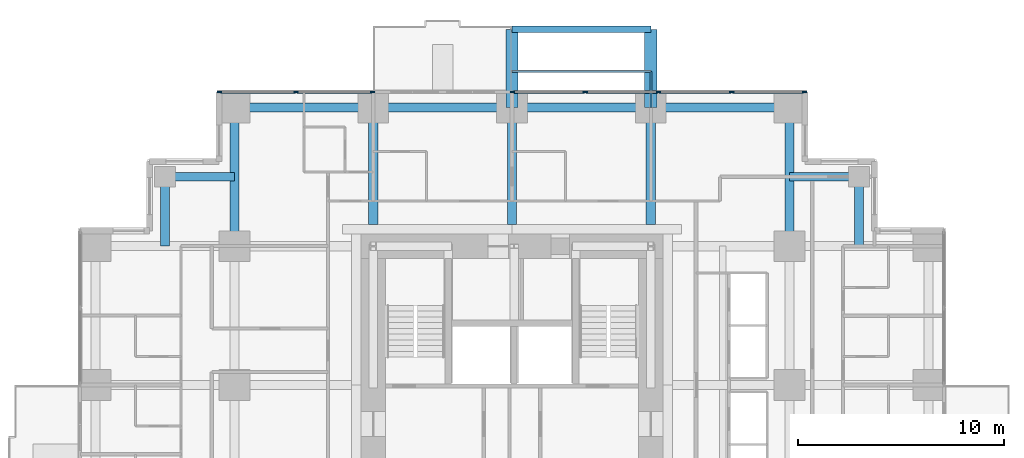
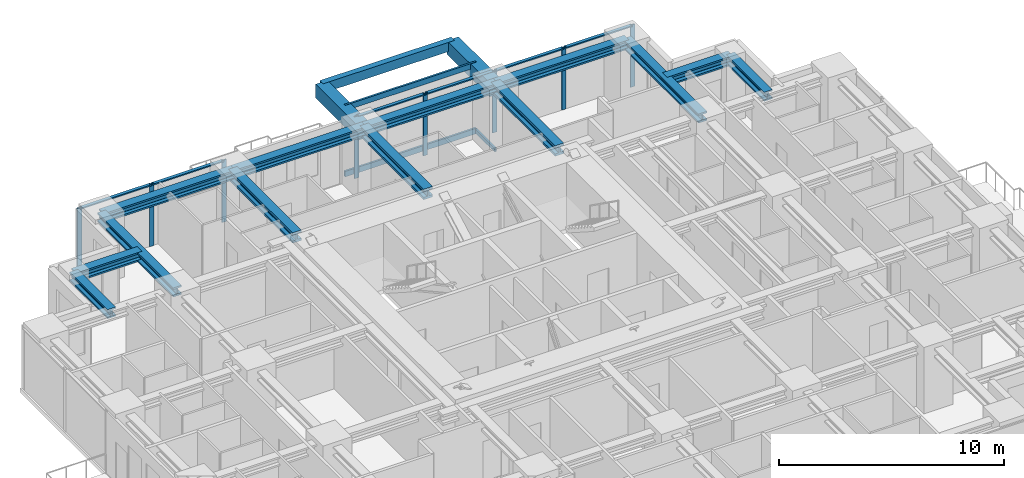
# One storey, part 5 of 13: 17 members, 16 beams, 2 elements without a shape of their own.
"""IFC4 building model written with IfcOpenShell, lengths in metres."""

from ifc_helpers import new_model, si_unit, direction, frame, origin, origin_2d, place, context, subcontext, project, spatial, rectangle, hollow_rectangle, i_section, extrude, material, material_profile, profile_set, type_object, element, aggregate, save


model = new_model("IFC4")

# Units and contexts
model_context = context("Model", 3, precision=1e-05, world=origin(), true_north=direction((0.0, 1.0)))
body_context = subcontext(model_context, "Body", "Model", "MODEL_VIEW")
ifc_project = project(units=[si_unit("LENGTHUNIT", "METRE"), si_unit("AREAUNIT", "SQUARE_METRE"), si_unit("VOLUMEUNIT", "CUBIC_METRE"), si_unit("PLANEANGLEUNIT", "RADIAN"), si_unit("MASSUNIT", "GRAM", prefix="KILO")], contexts=[model_context])

# Site, building, storey
site_placement = place(None, origin())
site = spatial("IfcSite", under=ifc_project, at=site_placement, CompositionType="ELEMENT")
building_placement = place(site_placement, origin())
building = spatial("IfcBuilding", under=site, at=building_placement, Name="Nyansa Garden Tower", CompositionType="ELEMENT")
storey_placement = place(building_placement, frame((0.0, 0.0, 130.5)))
storey = spatial("IfcBuildingStorey", under=building, at=storey_placement, Name="L35", CompositionType="ELEMENT", Elevation=130.5)

# Beams
ifc_material_1 = material(Name="Concrete C70/85", Category="concrete")
ifc_material_profile_1 = material_profile(ifc_material_1, rectangle(XDim=0.60009765625, YDim=0.75, at=origin_2d()), Name="RC 600x750")
ifc_profile_set_1 = profile_set([ifc_material_profile_1], Name="Concrete C70/85")
beam_type_1 = type_object("IfcBeamType", Name="Balcony cantilever beam CB1 RC 600x750", PredefinedType="BEAM", material=ifc_profile_set_1)
for number, where, z_axis, x_axis, name in (
    (1, (20.25, 33.75, 2.985107421875), (0.0, 1.0, 0.0), (-1.0, 0.0, 0.0), "Balcony cantilever beam L36"),
    (2, (27.0, 33.75, 2.985107421875), (0.0, 1.0, 0.0), (-1.0, 0.0, 0.0), "Balcony cantilever beam L36"),
):
    element("IfcBeam", number, at=place(storey_placement, frame(where, z_axis=z_axis, x_axis=x_axis)), inside=storey, type_object=beam_type_1, Name=name, PredefinedType="BEAM", context=body_context, shape_type="SweptSolid", body=[
        extrude(rectangle(XDim=0.60009765625, YDim=0.75, at=origin_2d()), origin(), (0.0, 0.0, 1.0), 3.800048828125),
    ])
ifc_material_2 = material(Name="Concrete C70/85", Category="concrete")
ifc_material_profile_2 = material_profile(ifc_material_2, rectangle(XDim=0.300048828125, YDim=0.5, at=origin_2d()), Name="RC 300x500")
ifc_profile_set_2 = profile_set([ifc_material_profile_2], Name="Concrete C70/85")
beam_type_2 = type_object("IfcBeamType", Name="Balcony edge beam BE1 RC 300x500", PredefinedType="BEAM", material=ifc_profile_set_2)
beam_placement = place(storey_placement, frame((20.25, 37.550048828125, 3.110107421875), z_axis=(1.0, 0.0, 0.0), x_axis=(0.0, 1.0, 0.0)))
element("IfcBeam", 3, at=beam_placement, inside=storey, type_object=beam_type_2, Name="Balcony edge beam L36", PredefinedType="BEAM", context=body_context, shape_type="SweptSolid", body=[
    extrude(rectangle(XDim=0.300048828125, YDim=0.5, at=origin_2d()), origin(), (0.0, 0.0, 1.0), 6.75),
])

# Curtain wall, members
ifc_material_3 = material(Name="Black anodised aluminium, dark tinted double glazing", Category="aluminium")
curtain_wall_type = type_object("IfcCurtainWallType", Name="Inner skin curtain wall ISW-B", PredefinedType="USERDEFINED", material=ifc_material_3)
curtain_wall_1_placement = place(storey_placement, origin())
curtain_wall_1 = element("IfcCurtainWall", 4, at=curtain_wall_1_placement, inside=storey, type_object=curtain_wall_type, Name="Inner skin curtain wall L35 N", ObjectType="UNITISED CURTAIN WALL", PredefinedType="USERDEFINED")
ifc_material_4 = material(Name="Black anodised aluminium", Category="aluminium")
ifc_material_profile_3 = material_profile(ifc_material_4, rectangle(XDim=0.06494140625, YDim=0.22509765625, at=origin_2d()), Name="Mullion 225x65")
ifc_profile_set_3 = profile_set([ifc_material_profile_3], Name="Black anodised aluminium")
member_type_1 = type_object("IfcMemberType", Name="Mullion ISW-B 225x65", PredefinedType="MULLION", material=ifc_profile_set_3)
member_1_placement = place(storey_placement, frame((13.467529296875, 34.5, 0.0), z_axis=(0.0, 0.0, 1.0), x_axis=(0.0, -1.0, 0.0)))
member_1 = element("IfcMember", 5, at=member_1_placement, type_object=member_type_1, Name="ISW-B mullion 1", PredefinedType="MULLION", context=body_context, shape_type="SweptSolid", body=[
    extrude(rectangle(XDim=0.06494140625, YDim=0.22509765625, at=origin_2d()), origin(), (0.0, 0.0, 1.0), 3.375),
])
member_2_placement = place(storey_placement, frame((9.75, 34.5, 0.0), z_axis=(0.0, 0.0, 1.0), x_axis=(0.0, -1.0, 0.0)))
member_2 = element("IfcMember", 6, at=member_2_placement, type_object=member_type_1, Name="ISW-B mullion 2", PredefinedType="MULLION", context=body_context, shape_type="SweptSolid", body=[
    extrude(rectangle(XDim=0.06494140625, YDim=0.22509765625, at=origin_2d()), origin(), (0.0, 0.0, 1.0), 3.375),
])
member_3_placement = place(storey_placement, frame((6.032470703125, 34.5, 0.0), z_axis=(0.0, 0.0, 1.0), x_axis=(0.0, -1.0, 0.0)))
member_3 = element("IfcMember", 7, at=member_3_placement, type_object=member_type_1, Name="ISW-B mullion 3", PredefinedType="MULLION", context=body_context, shape_type="SweptSolid", body=[
    extrude(rectangle(XDim=0.06494140625, YDim=0.22509765625, at=origin_2d()), origin(), (0.0, 0.0, 1.0), 3.375),
])

curtain_wall_2_placement = place(storey_placement, origin())
curtain_wall_2 = element("IfcCurtainWall", 8, at=curtain_wall_2_placement, inside=storey, type_object=curtain_wall_type, Name="Inner skin curtain wall L35 N", ObjectType="UNITISED CURTAIN WALL", PredefinedType="USERDEFINED")
member_4_placement = place(storey_placement, frame((34.467529296875, 34.5, 0.0), z_axis=(0.0, 0.0, 1.0), x_axis=(0.0, -1.0, 0.0)))
member_4 = element("IfcMember", 9, at=member_4_placement, type_object=member_type_1, Name="ISW-B mullion 1", PredefinedType="MULLION", context=body_context, shape_type="SweptSolid", body=[
    extrude(rectangle(XDim=0.06494140625, YDim=0.22509765625, at=origin_2d()), origin(), (0.0, 0.0, 1.0), 3.375),
])
member_5_placement = place(storey_placement, frame((30.9375, 34.5, 0.0), z_axis=(0.0, 0.0, 1.0), x_axis=(0.0, -1.0, 0.0)))
member_5 = element("IfcMember", 10, at=member_5_placement, type_object=member_type_1, Name="ISW-B mullion 2", PredefinedType="MULLION", context=body_context, shape_type="SweptSolid", body=[
    extrude(rectangle(XDim=0.06494140625, YDim=0.22509765625, at=origin_2d()), origin(), (0.0, 0.0, 1.0), 3.375),
])
member_6_placement = place(storey_placement, frame((27.375, 34.5, 0.0), z_axis=(0.0, 0.0, 1.0), x_axis=(0.0, -1.0, 0.0)))
member_6 = element("IfcMember", 11, at=member_6_placement, type_object=member_type_1, Name="ISW-B mullion 3", PredefinedType="MULLION", context=body_context, shape_type="SweptSolid", body=[
    extrude(rectangle(XDim=0.06494140625, YDim=0.22509765625, at=origin_2d()), origin(), (0.0, 0.0, 1.0), 3.375),
])
member_7_placement = place(storey_placement, frame((23.8125, 34.5, 0.0), z_axis=(0.0, 0.0, 1.0), x_axis=(0.0, -1.0, 0.0)))
member_7 = element("IfcMember", 12, at=member_7_placement, type_object=member_type_1, Name="ISW-B mullion 4", PredefinedType="MULLION", context=body_context, shape_type="SweptSolid", body=[
    extrude(rectangle(XDim=0.06494140625, YDim=0.22509765625, at=origin_2d()), origin(), (0.0, 0.0, 1.0), 3.375),
])
member_8_placement = place(storey_placement, frame((20.282470703125, 34.5, 0.0), z_axis=(0.0, 0.0, 1.0), x_axis=(0.0, -1.0, 0.0)))
member_8 = element("IfcMember", 13, at=member_8_placement, type_object=member_type_1, Name="ISW-B mullion 5", PredefinedType="MULLION", context=body_context, shape_type="SweptSolid", body=[
    extrude(rectangle(XDim=0.06494140625, YDim=0.22509765625, at=origin_2d()), origin(), (0.0, 0.0, 1.0), 3.375),
])

# Members
ifc_material_5 = material(Name="Steel S355, black powder coated", Category="steel")
ifc_material_profile_4 = material_profile(ifc_material_5, hollow_rectangle(XDim=0.10009765625, YDim=0.199951171875, WallThickness=0.008056640625, at=origin_2d()), Name="RHS 200x100x8")
ifc_profile_set_4 = profile_set([ifc_material_profile_4], Name="Steel S355, black powder coated")
member_type_2 = type_object("IfcMemberType", Name="Outer skin bracket arm RHS 200x100x8", PredefinedType="USERDEFINED", material=ifc_profile_set_4)
member_9_placement = place(storey_placement, frame((27.0, 33.75, -0.375), z_axis=(0.0, 1.0, 0.0), x_axis=(-1.0, 0.0, 0.0)))
element("IfcMember", 14, at=member_9_placement, inside=storey, type_object=member_type_2, Name="Outer skin bracket arm", ObjectType="OUTER SKIN BRACKET", PredefinedType="USERDEFINED", context=body_context, shape_type="SweptSolid", body=[
    extrude(hollow_rectangle(XDim=0.10009765625, YDim=0.199951171875, WallThickness=0.008056640625, at=origin_2d()), origin(), (0.0, 0.0, 1.0), 1.75),
])
ifc_material_6 = material(Name="Steel S355, black powder coated", Category="steel")
ifc_material_profile_5 = material_profile(ifc_material_6, hollow_rectangle(XDim=0.10009765625, YDim=0.300048828125, WallThickness=0.010009765625, at=origin_2d()), Name="RHS 300x100x10")
ifc_profile_set_5 = profile_set([ifc_material_profile_5], Name="Steel S355, black powder coated")
member_type_3 = type_object("IfcMemberType", Name="Outer skin rail RHS 300x100x10", PredefinedType="USERDEFINED", material=ifc_profile_set_5)
for number, where, z_axis, x_axis, name in (
    (15, (20.25, 35.5, -0.375), (1.0, 0.0, 0.0), (0.0, 1.0, 0.0), "Outer skin rail L35"),
    (16, (20.25, 35.5, 3.22509765625), (1.0, 0.0, 0.0), (0.0, 1.0, 0.0), "Outer skin rail L35 head"),
):
    element("IfcMember", number, at=place(storey_placement, frame(where, z_axis=z_axis, x_axis=x_axis)), inside=storey, type_object=member_type_3, Name=name, ObjectType="OUTER SKIN RAIL", PredefinedType="USERDEFINED", context=body_context, shape_type="SweptSolid", body=[
        extrude(hollow_rectangle(XDim=0.10009765625, YDim=0.300048828125, WallThickness=0.010009765625, at=origin_2d()), origin(), (0.0, 0.0, 1.0), 6.75),
    ])

# Beams
ifc_material_7 = material(Name="Steel S355", Category="steel")
ifc_material_profile_6 = material_profile(ifc_material_7, i_section(OverallWidth=0.431884765625, OverallDepth=0.498046875, WebThickness=0.0556640625, FlangeThickness=0.0888671875, FilletRadius=0.014892578125, at=origin_2d()), Name="HD 400x744")
ifc_profile_set_6 = profile_set([ifc_material_profile_6], Name="Steel S355")
beam_type_3 = type_object("IfcBeamType", Name="Steel beam SBB2-744 HD 400x744", PredefinedType="BEAM", material=ifc_profile_set_6)
for number, where, z_axis, x_axis, name in (
    (17, (6.75, 27.0, 3.1259765625), (0.0, 1.0, 0.0), (-1.0, 0.0, 0.0), "Steel beam 3/H-3/J L36"),
    (18, (33.75, 27.0, 3.1259765625), (0.0, 1.0, 0.0), (-1.0, 0.0, 0.0), "Steel beam 7/H-7/J L36"),
):
    element("IfcBeam", number, at=place(storey_placement, frame(where, z_axis=z_axis, x_axis=x_axis)), inside=storey, type_object=beam_type_3, Name=name, PredefinedType="BEAM", context=body_context, shape_type="SweptSolid", body=[
        extrude(i_section(OverallWidth=0.431884765625, OverallDepth=0.498046875, WebThickness=0.0556640625, FlangeThickness=0.0888671875, FilletRadius=0.014892578125, at=origin_2d()), origin(), (0.0, 0.0, 1.0), 6.75),
    ])
ifc_material_8 = material(Name="Steel S355", Category="steel")
ifc_material_profile_7 = material_profile(ifc_material_8, i_section(OverallWidth=0.4541015625, OverallDepth=0.569091796875, WebThickness=0.077880859375, FlangeThickness=0.125, FilletRadius=0.014892578125, at=origin_2d()), Name="HD 400x1086")
ifc_profile_set_7 = profile_set([ifc_material_profile_7], Name="Steel S355")
beam_type_4 = type_object("IfcBeamType", Name="Steel beam SCL-1086 HD 400x1086", PredefinedType="BEAM", material=ifc_profile_set_7)
for number, where, z_axis, x_axis, name in (
    (19, (13.5, 28.050048828125, 3.090576171875), (0.0, 1.0, 0.0), (-1.0, 0.0, 0.0), "Steel beam 4/28.050-4/J L36"),
    (20, (20.25, 28.050048828125, 3.090576171875), (0.0, 1.0, 0.0), (-1.0, 0.0, 0.0), "Steel beam 5/28.050-5/J L36"),
    (21, (27.0, 28.050048828125, 3.090576171875), (0.0, 1.0, 0.0), (-1.0, 0.0, 0.0), "Steel beam 6/28.050-6/J L36"),
):
    element("IfcBeam", number, at=place(storey_placement, frame(where, z_axis=z_axis, x_axis=x_axis)), inside=storey, type_object=beam_type_4, Name=name, PredefinedType="BEAM", context=body_context, shape_type="SweptSolid", body=[
        extrude(i_section(OverallWidth=0.4541015625, OverallDepth=0.569091796875, WebThickness=0.077880859375, FlangeThickness=0.125, FilletRadius=0.014892578125, at=origin_2d()), origin(), (0.0, 0.0, 1.0), 5.699951171875),
    ])
ifc_material_9 = material(Name="Steel S355", Category="steel")
ifc_material_profile_8 = material_profile(ifc_material_9, i_section(OverallWidth=0.431884765625, OverallDepth=0.498046875, WebThickness=0.0556640625, FlangeThickness=0.0888671875, FilletRadius=0.014892578125, at=origin_2d()), Name="HD 400x744")
ifc_profile_set_8 = profile_set([ifc_material_profile_8], Name="Steel S355")
beam_type_5 = type_object("IfcBeamType", Name="Steel beam SEBB-744 HD 400x744", PredefinedType="BEAM", material=ifc_profile_set_8)
for number, where, z_axis, x_axis, name in (
    (22, (6.75, 33.75, 3.1259765625), (1.0, 0.0, 0.0), (0.0, 1.0, 0.0), "Steel edge beam 3/J-4/J L36"),
    (23, (13.5, 33.75, 3.1259765625), (1.0, 0.0, 0.0), (0.0, 1.0, 0.0), "Steel edge beam 4/J-5/J L36"),
    (24, (20.25, 33.75, 3.1259765625), (1.0, 0.0, 0.0), (0.0, 1.0, 0.0), "Steel edge beam 5/J-6/J L36"),
    (25, (27.0, 33.75, 3.1259765625), (1.0, 0.0, 0.0), (0.0, 1.0, 0.0), "Steel edge beam 6/J-7/J L36"),
):
    element("IfcBeam", number, at=place(storey_placement, frame(where, z_axis=z_axis, x_axis=x_axis)), inside=storey, type_object=beam_type_5, Name=name, PredefinedType="BEAM", context=body_context, shape_type="SweptSolid", body=[
        extrude(i_section(OverallWidth=0.431884765625, OverallDepth=0.498046875, WebThickness=0.0556640625, FlangeThickness=0.0888671875, FilletRadius=0.014892578125, at=origin_2d()), origin(), (0.0, 0.0, 1.0), 6.75),
    ])
ifc_material_10 = material(Name="Steel S355", Category="steel")
ifc_material_profile_9 = material_profile(ifc_material_10, i_section(OverallWidth=0.431884765625, OverallDepth=0.498046875, WebThickness=0.0556640625, FlangeThickness=0.0888671875, FilletRadius=0.014892578125, at=origin_2d()), Name="HD 400x744")
ifc_profile_set_9 = profile_set([ifc_material_profile_9], Name="Steel S355")
beam_type_6 = type_object("IfcBeamType", Name="Steel beam SSB1-744 HD 400x744", PredefinedType="BEAM", material=ifc_profile_set_9)
for number, where, z_axis, x_axis, name in (
    (26, (37.125, 30.375, 3.1259765625), (0.0, -1.0, 0.0), (1.0, 0.0, 0.0), "Steel step beam 37.125/30.375 L36"),
    (27, (37.125, 30.375, 3.1259765625), (-1.0, 0.0, 0.0), (0.0, -1.0, 0.0), "Steel step beam 37.125/30.375 L36"),
    (28, (3.375, 30.375, 3.1259765625), (0.0, -1.0, 0.0), (1.0, 0.0, 0.0), "Steel step beam 3.375/30.375 L36"),
    (29, (3.375, 30.375, 3.1259765625), (1.0, 0.0, 0.0), (0.0, 1.0, 0.0), "Steel step beam 3.375/30.375 L36"),
):
    element("IfcBeam", number, at=place(storey_placement, frame(where, z_axis=z_axis, x_axis=x_axis)), inside=storey, type_object=beam_type_6, Name=name, PredefinedType="BEAM", context=body_context, shape_type="SweptSolid", body=[
        extrude(i_section(OverallWidth=0.431884765625, OverallDepth=0.498046875, WebThickness=0.0556640625, FlangeThickness=0.0888671875, FilletRadius=0.014892578125, at=origin_2d()), origin(), (0.0, 0.0, 1.0), 3.375),
    ])

# Member
ifc_material_11 = material(Name="Black anodised aluminium", Category="aluminium")
ifc_material_profile_10 = material_profile(ifc_material_11, rectangle(XDim=0.1650390625, YDim=0.06494140625, at=origin_2d()), Name="Transom 165x65")
ifc_profile_set_10 = profile_set([ifc_material_profile_10], Name="Black anodised aluminium")
member_type_4 = type_object("IfcMemberType", Name="Transom ISW-B 165x65", PredefinedType="USERDEFINED", material=ifc_profile_set_10)
member_10_placement = place(storey_placement, frame((13.43505859375, 34.5, 3.342529296875), z_axis=(-1.0, 0.0, 0.0), x_axis=(0.0, -1.0, 0.0)))
member_10 = element("IfcMember", 30, at=member_10_placement, type_object=member_type_4, Name="ISW-B transom 1", ObjectType="TRANSOM", PredefinedType="USERDEFINED", context=body_context, shape_type="SweptSolid", body=[
    extrude(rectangle(XDim=0.1650390625, YDim=0.06494140625, at=origin_2d()), origin(), (0.0, 0.0, 1.0), 3.652587890625),
])

member_11_placement = place(storey_placement, frame((9.717529296875, 34.5, 3.342529296875), z_axis=(-1.0, 0.0, 0.0), x_axis=(0.0, -1.0, 0.0)))
member_11 = element("IfcMember", 31, at=member_11_placement, type_object=member_type_4, Name="ISW-B transom 2", ObjectType="TRANSOM", PredefinedType="USERDEFINED", context=body_context, shape_type="SweptSolid", body=[
    extrude(rectangle(XDim=0.1650390625, YDim=0.06494140625, at=origin_2d()), origin(), (0.0, 0.0, 1.0), 3.652587890625),
])

aggregate(curtain_wall_1, [member_1, member_2, member_3, member_10, member_11])

member_12_placement = place(storey_placement, frame((34.43505859375, 34.5, 3.342529296875), z_axis=(-1.0, 0.0, 0.0), x_axis=(0.0, -1.0, 0.0)))
member_12 = element("IfcMember", 32, at=member_12_placement, type_object=member_type_4, Name="ISW-B transom 1", ObjectType="TRANSOM", PredefinedType="USERDEFINED", context=body_context, shape_type="SweptSolid", body=[
    extrude(rectangle(XDim=0.1650390625, YDim=0.06494140625, at=origin_2d()), origin(), (0.0, 0.0, 1.0), 3.465087890625),
])

member_13_placement = place(storey_placement, frame((30.905029296875, 34.5, 3.342529296875), z_axis=(-1.0, 0.0, 0.0), x_axis=(0.0, -1.0, 0.0)))
member_13 = element("IfcMember", 33, at=member_13_placement, type_object=member_type_4, Name="ISW-B transom 2", ObjectType="TRANSOM", PredefinedType="USERDEFINED", context=body_context, shape_type="SweptSolid", body=[
    extrude(rectangle(XDim=0.1650390625, YDim=0.06494140625, at=origin_2d()), origin(), (0.0, 0.0, 1.0), 3.49755859375),
])

member_14_placement = place(storey_placement, frame((27.342529296875, 34.5, 3.342529296875), z_axis=(-1.0, 0.0, 0.0), x_axis=(0.0, -1.0, 0.0)))
member_14 = element("IfcMember", 34, at=member_14_placement, type_object=member_type_4, Name="ISW-B transom 3", ObjectType="TRANSOM", PredefinedType="USERDEFINED", context=body_context, shape_type="SweptSolid", body=[
    extrude(rectangle(XDim=0.1650390625, YDim=0.06494140625, at=origin_2d()), origin(), (0.0, 0.0, 1.0), 3.49755859375),
])

member_15_placement = place(storey_placement, frame((23.780029296875, 34.5, 3.342529296875), z_axis=(-1.0, 0.0, 0.0), x_axis=(0.0, -1.0, 0.0)))
member_15 = element("IfcMember", 35, at=member_15_placement, type_object=member_type_4, Name="ISW-B transom 4", ObjectType="TRANSOM", PredefinedType="USERDEFINED", context=body_context, shape_type="SweptSolid", body=[
    extrude(rectangle(XDim=0.1650390625, YDim=0.06494140625, at=origin_2d()), origin(), (0.0, 0.0, 1.0), 3.465087890625),
])

aggregate(curtain_wall_2, [member_4, member_5, member_6, member_7, member_8, member_12, member_13, member_14, member_15])

save(model, "model.ifc")
